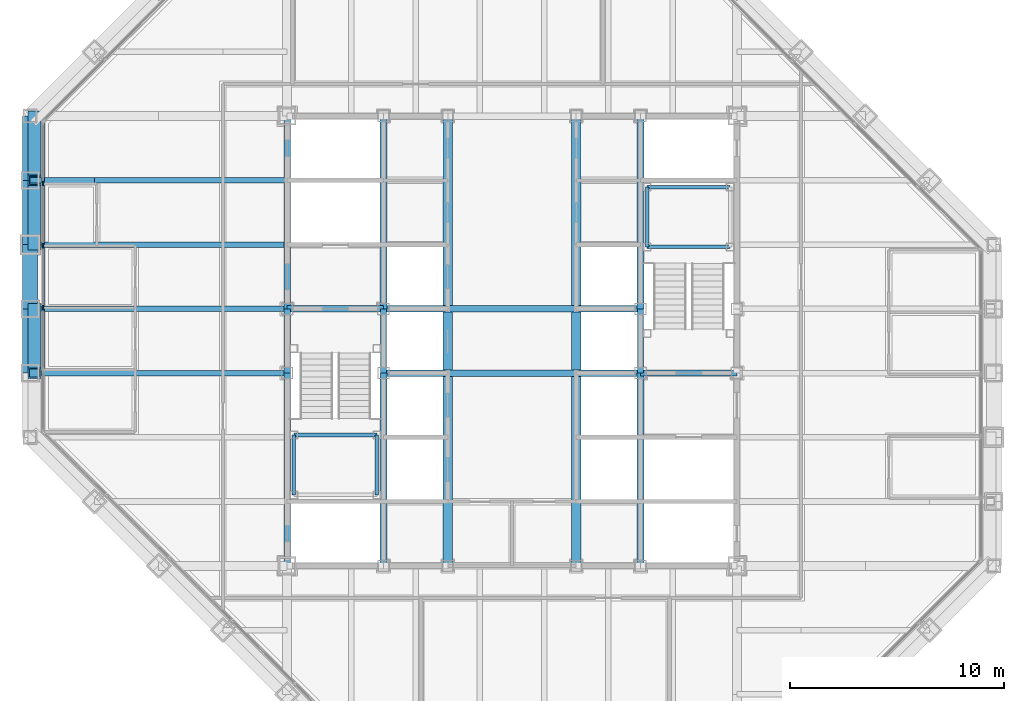
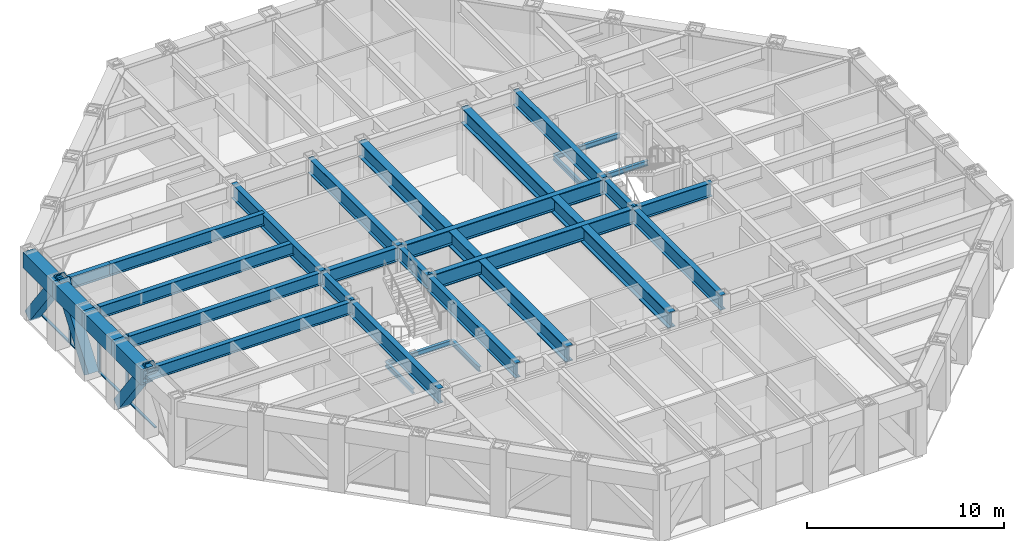
# One storey, part 6 of 16: 34 beams, 10 members, 1 element without a shape of its own.
"""IFC4 building model written with IfcOpenShell, lengths in metres."""

from ifc_helpers import new_model, si_unit, direction, frame, origin, origin_2d, place, context, subcontext, project, spatial, rectangle, hollow_rectangle, i_section, extrude, material, layer, layer_set, material_profile, profile_set, type_object, element, aggregate, save


model = new_model("IFC4")

# Units and contexts
model_context = context("Model", 3, precision=1e-05, world=origin(), true_north=direction((0.0, 1.0)))
body_context = subcontext(model_context, "Body", "Model", "MODEL_VIEW")
ifc_project = project(units=[si_unit("LENGTHUNIT", "METRE"), si_unit("AREAUNIT", "SQUARE_METRE"), si_unit("VOLUMEUNIT", "CUBIC_METRE"), si_unit("PLANEANGLEUNIT", "RADIAN"), si_unit("MASSUNIT", "GRAM", prefix="KILO")], contexts=[model_context])

# Site, building, storey
site_placement = place(None, origin())
site = spatial("IfcSite", under=ifc_project, at=site_placement, CompositionType="ELEMENT")
building_placement = place(site_placement, origin())
building = spatial("IfcBuilding", under=site, at=building_placement, Name="Chuquiago Exchange Tower", CompositionType="ELEMENT")
storey_placement = place(building_placement, frame((0.0, 0.0, 247.5)))
storey = spatial("IfcBuildingStorey", under=building, at=storey_placement, Name="L55", CompositionType="ELEMENT", Elevation=247.5)

# Beams
ifc_material_1 = material(Name="Steel ASTM A992", Category="steel")
ifc_material_profile_1 = material_profile(ifc_material_1, i_section(OverallWidth=0.307373046875, OverallDepth=0.927001953125, WebThickness=0.01953125, FlangeThickness=0.031982421875, at=origin_2d()), Name="W36X194")
ifc_profile_set_1 = profile_set([ifc_material_profile_1], Name="Steel ASTM A992")
beam_type_1 = type_object("IfcBeamType", Name="B10 W36X194", PredefinedType="BEAM", material=ifc_profile_set_1)
for number, where, z_axis, x_axis, name in (
    (1, (12.0, 12.0, 3.576416015625), (0.0, 1.0, 0.0), (-1.0, 0.0, 0.0), "CB-L56-12_12-12_21"),
    (2, (12.0, 24.0, 3.576416015625), (0.0, 1.0, 0.0), (-1.0, 0.0, 0.0), "CB-L56-12_24-12_33"),
    (3, (16.5, 12.0, 3.576416015625), (0.0, 1.0, 0.0), (-1.0, 0.0, 0.0), "CB-L56-16.5_12-16.5_21"),
    (4, (16.5, 24.0, 3.576416015625), (0.0, 1.0, 0.0), (-1.0, 0.0, 0.0), "CB-L56-16.5_24-16.5_33"),
    (5, (28.5, 12.0, 3.576416015625), (0.0, 1.0, 0.0), (-1.0, 0.0, 0.0), "CB-L56-28.5_12-28.5_21"),
    (6, (28.5, 24.0, 3.576416015625), (0.0, 1.0, 0.0), (-1.0, 0.0, 0.0), "CB-L56-28.5_24-28.5_33"),
):
    element("IfcBeam", number, at=place(storey_placement, frame(where, z_axis=z_axis, x_axis=x_axis)), inside=storey, type_object=beam_type_1, Name=name, PredefinedType="BEAM", context=body_context, shape_type="SweptSolid", body=[
        extrude(i_section(OverallWidth=0.307373046875, OverallDepth=0.927001953125, WebThickness=0.01953125, FlangeThickness=0.031982421875, at=origin_2d()), origin(), (0.0, 0.0, 1.0), 9.0),
    ])
ifc_material_2 = material(Name="Steel ASTM A992", Category="steel")
ifc_material_profile_2 = material_profile(ifc_material_2, i_section(OverallWidth=0.309814453125, OverallDepth=0.949951171875, WebThickness=0.0244140625, FlangeThickness=0.0439453125, at=origin_2d()), Name="W36X256")
ifc_profile_set_2 = profile_set([ifc_material_profile_2], Name="Steel ASTM A992")
beam_type_2 = type_object("IfcBeamType", Name="B11 W36X256", PredefinedType="BEAM", material=ifc_profile_set_2)
for number, where, z_axis, x_axis, name in (
    (7, (16.5, 21.0, 3.56494140625), (1.0, 0.0, 0.0), (0.0, 1.0, 0.0), "CB-L56-16.5_21-28.5_21"),
    (8, (16.5, 24.0, 3.56494140625), (1.0, 0.0, 0.0), (0.0, 1.0, 0.0), "CB-L56-16.5_24-28.5_24"),
):
    element("IfcBeam", number, at=place(storey_placement, frame(where, z_axis=z_axis, x_axis=x_axis)), inside=storey, type_object=beam_type_2, Name=name, PredefinedType="BEAM", context=body_context, shape_type="SweptSolid", body=[
        extrude(i_section(OverallWidth=0.309814453125, OverallDepth=0.949951171875, WebThickness=0.0244140625, FlangeThickness=0.0439453125, at=origin_2d()), origin(), (0.0, 0.0, 1.0), 12.0),
    ])
ifc_material_3 = material(Name="Steel ASTM A992", Category="steel")
ifc_material_profile_3 = material_profile(ifc_material_3, i_section(OverallWidth=0.4267578125, OverallDepth=0.975341796875, WebThickness=0.031005859375, FlangeThickness=0.055908203125, at=origin_2d()), Name="W36X395")
ifc_profile_set_3 = profile_set([ifc_material_profile_3], Name="Steel ASTM A992")
beam_type_3 = type_object("IfcBeamType", Name="B12 W36X395", PredefinedType="BEAM", material=ifc_profile_set_3)
beam_1_placement = place(storey_placement, frame((19.5, 12.0, 3.55224609375), z_axis=(0.0, 1.0, 0.0), x_axis=(-1.0, 0.0, 0.0)))
element("IfcBeam", 9, at=beam_1_placement, inside=storey, type_object=beam_type_3, Name="CB-L56-19.5_12-19.5_20.8451", PredefinedType="BEAM", context=body_context, shape_type="SweptSolid", body=[
    extrude(i_section(OverallWidth=0.4267578125, OverallDepth=0.975341796875, WebThickness=0.031005859375, FlangeThickness=0.055908203125, at=origin_2d()), origin(), (0.0, 0.0, 1.0), 8.84521484375),
])
beam_2_placement = place(storey_placement, frame((19.5, 21.15478515625, 3.55224609375), z_axis=(0.0, 1.0, 0.0), x_axis=(-1.0, 0.0, 0.0)))
element("IfcBeam", 10, at=beam_2_placement, inside=storey, type_object=beam_type_3, Name="CB-L56-19.5_21.1549-19.5_23.8451", PredefinedType="BEAM", context=body_context, shape_type="SweptSolid", body=[
    extrude(i_section(OverallWidth=0.4267578125, OverallDepth=0.975341796875, WebThickness=0.031005859375, FlangeThickness=0.055908203125, at=origin_2d()), origin(), (0.0, 0.0, 1.0), 2.6904296875),
])
for number, where, z_axis, x_axis, name in (
    (11, (19.5, 24.15478515625, 3.55224609375), (0.0, 1.0, 0.0), (-1.0, 0.0, 0.0), "CB-L56-19.5_24.1549-19.5_33"),
    (12, (25.5, 12.0, 3.55224609375), (0.0, 1.0, 0.0), (-1.0, 0.0, 0.0), "CB-L56-25.5_12-25.5_20.8451"),
):
    element("IfcBeam", number, at=place(storey_placement, frame(where, z_axis=z_axis, x_axis=x_axis)), inside=storey, type_object=beam_type_3, Name=name, PredefinedType="BEAM", context=body_context, shape_type="SweptSolid", body=[
        extrude(i_section(OverallWidth=0.4267578125, OverallDepth=0.975341796875, WebThickness=0.031005859375, FlangeThickness=0.055908203125, at=origin_2d()), origin(), (0.0, 0.0, 1.0), 8.84521484375),
    ])
beam_3_placement = place(storey_placement, frame((25.5, 21.15478515625, 3.55224609375), z_axis=(0.0, 1.0, 0.0), x_axis=(-1.0, 0.0, 0.0)))
element("IfcBeam", 13, at=beam_3_placement, inside=storey, type_object=beam_type_3, Name="CB-L56-25.5_21.1549-25.5_23.8451", PredefinedType="BEAM", context=body_context, shape_type="SweptSolid", body=[
    extrude(i_section(OverallWidth=0.4267578125, OverallDepth=0.975341796875, WebThickness=0.031005859375, FlangeThickness=0.055908203125, at=origin_2d()), origin(), (0.0, 0.0, 1.0), 2.6904296875),
])
beam_4_placement = place(storey_placement, frame((25.5, 24.15478515625, 3.55224609375), z_axis=(0.0, 1.0, 0.0), x_axis=(-1.0, 0.0, 0.0)))
element("IfcBeam", 14, at=beam_4_placement, inside=storey, type_object=beam_type_3, Name="CB-L56-25.5_24.1549-25.5_33", PredefinedType="BEAM", context=body_context, shape_type="SweptSolid", body=[
    extrude(i_section(OverallWidth=0.4267578125, OverallDepth=0.975341796875, WebThickness=0.031005859375, FlangeThickness=0.055908203125, at=origin_2d()), origin(), (0.0, 0.0, 1.0), 8.84521484375),
])
ifc_material_4 = material(Name="Steel ASTM A992", Category="steel")
ifc_material_profile_4 = material_profile(ifc_material_4, i_section(OverallWidth=0.2919921875, OverallDepth=0.8583984375, WebThickness=0.01708984375, FlangeThickness=0.031005859375, at=origin_2d()), Name="W33X169")
ifc_profile_set_4 = profile_set([ifc_material_profile_4], Name="Steel ASTM A992")
beam_type_4 = type_object("IfcBeamType", Name="B3 W33X169", PredefinedType="BEAM", material=ifc_profile_set_4)
for number, where, z_axis, x_axis, name in (
    (15, (12.0, 21.0, 3.610595703125), (0.0, 1.0, 0.0), (-1.0, 0.0, 0.0), "CB-L56-12_21-12_24"),
    (16, (16.5, 21.0, 3.610595703125), (0.0, 1.0, 0.0), (-1.0, 0.0, 0.0), "CB-L56-16.5_21-16.5_24"),
    (17, (28.5, 21.0, 3.610595703125), (0.0, 1.0, 0.0), (-1.0, 0.0, 0.0), "CB-L56-28.5_21-28.5_24"),
):
    element("IfcBeam", number, at=place(storey_placement, frame(where, z_axis=z_axis, x_axis=x_axis)), inside=storey, type_object=beam_type_4, Name=name, PredefinedType="BEAM", context=body_context, shape_type="SweptSolid", body=[
        extrude(i_section(OverallWidth=0.2919921875, OverallDepth=0.8583984375, WebThickness=0.01708984375, FlangeThickness=0.031005859375, at=origin_2d()), origin(), (0.0, 0.0, 1.0), 3.0),
    ])
for number, where, z_axis, x_axis, name in (
    (18, (28.5, 21.0, 3.610595703125), (1.0, 0.0, 0.0), (0.0, 1.0, 0.0), "CB-L56-28.5_21-33_21"),
    (19, (12.0, 24.0, 3.610595703125), (1.0, 0.0, 0.0), (0.0, 1.0, 0.0), "CB-L56-12_24-16.5_24"),
):
    element("IfcBeam", number, at=place(storey_placement, frame(where, z_axis=z_axis, x_axis=x_axis)), inside=storey, type_object=beam_type_4, Name=name, PredefinedType="BEAM", context=body_context, shape_type="SweptSolid", body=[
        extrude(i_section(OverallWidth=0.2919921875, OverallDepth=0.8583984375, WebThickness=0.01708984375, FlangeThickness=0.031005859375, at=origin_2d()), origin(), (0.0, 0.0, 1.0), 4.5),
    ])
ifc_material_5 = material(Name="Steel ASTM A992", Category="steel")
ifc_material_profile_5 = material_profile(ifc_material_5, i_section(OverallWidth=0.2666015625, OverallDepth=0.761962890625, WebThickness=0.014404296875, FlangeThickness=0.021484375, at=origin_2d()), Name="W30X116")
ifc_profile_set_5 = profile_set([ifc_material_profile_5], Name="Steel ASTM A992")
beam_type_5 = type_object("IfcBeamType", Name="B8 W30X116", PredefinedType="BEAM", material=ifc_profile_set_5)
for number, where, z_axis, x_axis, name in (
    (20, (12.0, 21.0, 3.658935546875), (-1.0, 0.0, 0.0), (0.0, -1.0, 0.0), "FB-L56-infill-12_21--0_21-0"),
    (21, (12.0, 24.0, 3.658935546875), (-1.0, 0.0, 0.0), (0.0, -1.0, 0.0), "FB-L56-infill-12_24--0_24-0"),
    (22, (12.0, 27.0, 3.658935546875), (-1.0, 0.0, 0.0), (0.0, -1.0, 0.0), "FB-L56-infill-12_27--0_27-0"),
):
    element("IfcBeam", number, at=place(storey_placement, frame(where, z_axis=z_axis, x_axis=x_axis)), inside=storey, type_object=beam_type_5, Name=name, PredefinedType="BEAM", context=body_context, shape_type="SweptSolid", body=[
        extrude(i_section(OverallWidth=0.2666015625, OverallDepth=0.761962890625, WebThickness=0.014404296875, FlangeThickness=0.021484375, at=origin_2d()), origin(), (0.0, 0.0, 1.0), 12.0),
    ])
beam_5_placement = place(storey_placement, frame((12.0, 30.0, 3.658935546875), z_axis=(-1.0, 0.0, 0.0), x_axis=(0.0, -1.0, 0.0)))
element("IfcBeam", 23, at=beam_5_placement, inside=storey, type_object=beam_type_5, Name="FB-L56-infill-12_30--0_30-0", PredefinedType="BEAM", context=body_context, shape_type="SweptSolid", body=[
    extrude(i_section(OverallWidth=0.2666015625, OverallDepth=0.761962890625, WebThickness=0.014404296875, FlangeThickness=0.021484375, at=origin_2d()), origin(), (0.0, 0.0, 1.0), 9.0),
])
beam_6_placement = place(storey_placement, frame((3.0, 30.0, 3.658935546875), z_axis=(-1.0, 0.0, 0.0), x_axis=(0.0, -1.0, 0.0)))
element("IfcBeam", 24, at=beam_6_placement, inside=storey, type_object=beam_type_5, Name="FB-L56-infill-12_30--0_30-1", PredefinedType="BEAM", context=body_context, shape_type="SweptSolid", body=[
    extrude(i_section(OverallWidth=0.2666015625, OverallDepth=0.761962890625, WebThickness=0.014404296875, FlangeThickness=0.021484375, at=origin_2d()), origin(), (0.0, 0.0, 1.0), 3.0),
])

# Curtain wall, members
ifc_material_6 = material(Name="Aluminium curtain wall system", Category="aluminium")
ifc_layer = layer(ifc_material_6, 0.22509765625)
ifc_layer_set = layer_set([ifc_layer], Name="CW2 office curtain wall")
curtain_wall_type = type_object("IfcCurtainWallType", Name="CW2 office curtain wall", PredefinedType="NOTDEFINED", material=ifc_layer_set)
curtain_wall_placement = place(storey_placement, origin())
curtain_wall = element("IfcCurtainWall", 25, at=curtain_wall_placement, inside=storey, type_object=curtain_wall_type, Name="CW2 curtain wall L55", PredefinedType="NOTDEFINED")
ifc_material_7 = material(Name="Aluminium mullion, pale anodised", Category="aluminium")
ifc_material_profile_6 = material_profile(ifc_material_7, rectangle(XDim=0.06494140625, YDim=0.22509765625, at=origin_2d()), Name="AL 65x225")
ifc_profile_set_6 = profile_set([ifc_material_profile_6], Name="Aluminium mullion, pale anodised")
member_type_1 = type_object("IfcMemberType", Name="CW2-M mullion 65x225", PredefinedType="MULLION", material=ifc_profile_set_6)
member_1_placement = place(storey_placement, frame((0.60009765625, 29.850830078125, 0.0), z_axis=(0.0, 0.0, 1.0), x_axis=(1.0, 0.0, 0.0)))
member_1 = element("IfcMember", 26, at=member_1_placement, type_object=member_type_1, Name="CW2 mullion 2", PredefinedType="MULLION", context=body_context, shape_type="SweptSolid", body=[
    extrude(rectangle(XDim=0.06494140625, YDim=0.22509765625, at=origin_2d()), origin(), (0.0, 0.0, 1.0), 4.0400390625),
])
member_2_placement = place(storey_placement, frame((0.60009765625, 26.9501953125, 0.0), z_axis=(0.0, 0.0, 1.0), x_axis=(1.0, 0.0, 0.0)))
member_2 = element("IfcMember", 27, at=member_2_placement, type_object=member_type_1, Name="CW2 mullion 3", PredefinedType="MULLION", context=body_context, shape_type="SweptSolid", body=[
    extrude(rectangle(XDim=0.06494140625, YDim=0.22509765625, at=origin_2d()), origin(), (0.0, 0.0, 1.0), 4.0400390625),
])
member_3_placement = place(storey_placement, frame((0.60009765625, 24.0498046875, 0.0), z_axis=(0.0, 0.0, 1.0), x_axis=(1.0, 0.0, 0.0)))
member_3 = element("IfcMember", 28, at=member_3_placement, type_object=member_type_1, Name="CW2 mullion 4", PredefinedType="MULLION", context=body_context, shape_type="SweptSolid", body=[
    extrude(rectangle(XDim=0.06494140625, YDim=0.22509765625, at=origin_2d()), origin(), (0.0, 0.0, 1.0), 4.0400390625),
])
ifc_material_8 = material(Name="Aluminium transom, pale anodised", Category="aluminium")
ifc_material_profile_7 = material_profile(ifc_material_8, rectangle(XDim=0.139892578125, YDim=0.06494140625, at=origin_2d()), Name="AL 140x65")
ifc_profile_set_7 = profile_set([ifc_material_profile_7], Name="Aluminium transom, pale anodised")
member_type_2 = type_object("IfcMemberType", Name="CW2-T transom 65x140", PredefinedType="MULLION", material=ifc_profile_set_7)
member_4_placement = place(storey_placement, frame((0.60009765625, 32.6865234375, 0.032470703125), z_axis=(0.0, -1.0, 0.0), x_axis=(1.0, 0.0, 0.0)))
member_4 = element("IfcMember", 29, at=member_4_placement, type_object=member_type_2, Name="CW2 transom 1.1", PredefinedType="MULLION", context=body_context, shape_type="SweptSolid", body=[
    extrude(rectangle(XDim=0.139892578125, YDim=0.06494140625, at=origin_2d()), origin(), (0.0, 0.0, 1.0), 2.80322265625),
])
member_5_placement = place(storey_placement, frame((0.60009765625, 29.818359375, 0.032470703125), z_axis=(0.0, -1.0, 0.0), x_axis=(1.0, 0.0, 0.0)))
member_5 = element("IfcMember", 30, at=member_5_placement, type_object=member_type_2, Name="CW2 transom 2.1", PredefinedType="MULLION", context=body_context, shape_type="SweptSolid", body=[
    extrude(rectangle(XDim=0.139892578125, YDim=0.06494140625, at=origin_2d()), origin(), (0.0, 0.0, 1.0), 2.83544921875),
])
member_6_placement = place(storey_placement, frame((0.60009765625, 26.917724609375, 0.032470703125), z_axis=(0.0, -1.0, 0.0), x_axis=(1.0, 0.0, 0.0)))
member_6 = element("IfcMember", 31, at=member_6_placement, type_object=member_type_2, Name="CW2 transom 3.1", PredefinedType="MULLION", context=body_context, shape_type="SweptSolid", body=[
    extrude(rectangle(XDim=0.139892578125, YDim=0.06494140625, at=origin_2d()), origin(), (0.0, 0.0, 1.0), 2.83544921875),
])
member_7_placement = place(storey_placement, frame((0.60009765625, 24.01708984375, 0.032470703125), z_axis=(0.0, -1.0, 0.0), x_axis=(1.0, 0.0, 0.0)))
member_7 = element("IfcMember", 32, at=member_7_placement, type_object=member_type_2, Name="CW2 transom 4.1", PredefinedType="MULLION", context=body_context, shape_type="SweptSolid", body=[
    extrude(rectangle(XDim=0.139892578125, YDim=0.06494140625, at=origin_2d()), origin(), (0.0, 0.0, 1.0), 2.83544921875),
])
aggregate(curtain_wall, [member_1, member_2, member_3, member_4, member_5, member_6, member_7])

# Beams
ifc_material_9 = material(Name="Steel ASTM A992", Category="steel")
ifc_material_profile_8 = material_profile(ifc_material_9, i_section(OverallWidth=0.164794921875, OverallDepth=0.309814453125, WebThickness=0.005859375, FlangeThickness=0.009765625, at=origin_2d()), Name="W12X26")
ifc_profile_set_8 = profile_set([ifc_material_profile_8], Name="Steel ASTM A992")
beam_type_6 = type_object("IfcBeamType", Name="LS1 W12X26", PredefinedType="BEAM", material=ifc_profile_set_8)
for number, where, z_axis, x_axis, name in (
    (33, (12.31005859375, 15.31005859375, 1.7451171875), (0.0, 1.0, 0.0), (-1.0, 0.0, 0.0), "Stair ST1 L55 landing 1 stringer"),
    (34, (16.18994140625, 15.31005859375, 1.7451171875), (0.0, 1.0, 0.0), (-1.0, 0.0, 0.0), "Stair ST1 L55 landing 1 stringer"),
    (35, (28.81005859375, 26.889892578125, 1.7451171875), (0.0, 1.0, 0.0), (-1.0, 0.0, 0.0), "Stair ST2 L55 landing 1 stringer"),
):
    element("IfcBeam", number, at=place(storey_placement, frame(where, z_axis=z_axis, x_axis=x_axis)), inside=storey, type_object=beam_type_6, Name=name, PredefinedType="BEAM", context=body_context, shape_type="SweptSolid", body=[
        extrude(i_section(OverallWidth=0.164794921875, OverallDepth=0.309814453125, WebThickness=0.005859375, FlangeThickness=0.009765625, at=origin_2d()), origin(), (0.0, 0.0, 1.0), 2.800048828125),
    ])
ifc_material_10 = material(Name="Steel ASTM A992", Category="steel")
ifc_material_profile_9 = material_profile(ifc_material_10, i_section(OverallWidth=0.164794921875, OverallDepth=0.309814453125, WebThickness=0.005859375, FlangeThickness=0.009765625, at=origin_2d()), Name="W12X26")
ifc_profile_set_9 = profile_set([ifc_material_profile_9], Name="Steel ASTM A992")
beam_type_7 = type_object("IfcBeamType", Name="LT1 W12X26", PredefinedType="BEAM", material=ifc_profile_set_9)
for number, where, z_axis, x_axis, name in (
    (36, (12.31005859375, 18.110107421875, 1.7451171875), (1.0, 0.0, 0.0), (0.0, 1.0, 0.0), "Stair ST1 L55 landing 1 trimmer"),
    (37, (28.81005859375, 29.68994140625, 1.7451171875), (1.0, 0.0, 0.0), (0.0, 1.0, 0.0), "Stair ST2 L55 landing 1 trimmer"),
    (38, (28.81005859375, 26.889892578125, 1.7451171875), (1.0, 0.0, 0.0), (0.0, 1.0, 0.0), "Stair ST2 L55 landing 1 trimmer"),
):
    element("IfcBeam", number, at=place(storey_placement, frame(where, z_axis=z_axis, x_axis=x_axis)), inside=storey, type_object=beam_type_7, Name=name, PredefinedType="BEAM", context=body_context, shape_type="SweptSolid", body=[
        extrude(i_section(OverallWidth=0.164794921875, OverallDepth=0.309814453125, WebThickness=0.005859375, FlangeThickness=0.009765625, at=origin_2d()), origin(), (0.0, 0.0, 1.0), 3.8798828125),
    ])

# Members
ifc_material_11 = material(Name="Steel ASTM A572 Grade 50", Category="steel")
ifc_material_profile_10 = material_profile(ifc_material_11, hollow_rectangle(XDim=0.60009765625, YDim=0.60009765625, WallThickness=0.06005859375, at=origin_2d()), Name="BOX600X600X60")
ifc_profile_set_10 = profile_set([ifc_material_profile_10], Name="Steel ASTM A572 Grade 50")
member_type_3 = type_object("IfcMemberType", Name="MB3 BOX600X600X60", PredefinedType="BRACE", material=ifc_profile_set_10)
for number, where, z_axis, x_axis, name in (
    (39, (0.205078125, 33.0, 0.0), (0.0, -0.596173923302, 0.802855312728), (1.0, 0.0, 0.0), "Mega diagonal L55 W face"),
    (40, (0.205078125, 27.0, 0.0), (0.0, 0.596173923302, 0.802855312728), (-1.0, 0.0, 0.0), "Mega diagonal L55 W face"),
    (41, (0.205078125, 24.0, 0.0), (0.0, -0.596173923302, 0.802855312728), (1.0, 0.0, 0.0), "Mega diagonal L55 W face"),
):
    element("IfcMember", number, at=place(storey_placement, frame(where, z_axis=z_axis, x_axis=x_axis)), inside=storey, type_object=member_type_3, Name=name, PredefinedType="BRACE", context=body_context, shape_type="SweptSolid", body=[
        extrude(hollow_rectangle(XDim=0.60009765625, YDim=0.60009765625, WallThickness=0.06005859375, at=origin_2d()), origin(), (0.0, 0.0, 1.0), 5.031982421875),
    ])

# Beams
ifc_material_12 = material(Name="Steel ASTM A572 Grade 50", Category="steel")
ifc_material_profile_11 = material_profile(ifc_material_12, hollow_rectangle(XDim=0.699951171875, YDim=0.949951171875, WallThickness=0.10009765625, at=origin_2d()), Name="BOX950X700X100")
ifc_profile_set_11 = profile_set([ifc_material_profile_11], Name="Steel ASTM A572 Grade 50")
beam_type_8 = type_object("IfcBeamType", Name="SP5 BOX950X700X100", PredefinedType="SPANDREL", material=ifc_profile_set_11)
for number, where, z_axis, x_axis, name in (
    (42, (0.0, 33.0, 3.56494140625), (0.0, -1.0, 0.0), (1.0, 0.0, 0.0), "SPB-L56-0_33-0_30"),
    (43, (0.0, 30.0, 3.56494140625), (0.0, -1.0, 0.0), (1.0, 0.0, 0.0), "SPB-L56-0_30-0_27"),
    (44, (0.0, 27.0, 3.56494140625), (0.0, -1.0, 0.0), (1.0, 0.0, 0.0), "SPB-L56-0_27-0_24"),
    (45, (0.0, 24.0, 3.56494140625), (0.0, -1.0, 0.0), (1.0, 0.0, 0.0), "SPB-L56-0_24-0_21"),
):
    element("IfcBeam", number, at=place(storey_placement, frame(where, z_axis=z_axis, x_axis=x_axis)), inside=storey, type_object=beam_type_8, Name=name, PredefinedType="SPANDREL", context=body_context, shape_type="SweptSolid", body=[
        extrude(hollow_rectangle(XDim=0.699951171875, YDim=0.949951171875, WallThickness=0.10009765625, at=origin_2d()), origin(), (0.0, 0.0, 1.0), 3.0),
    ])

save(model, "model.ifc")
